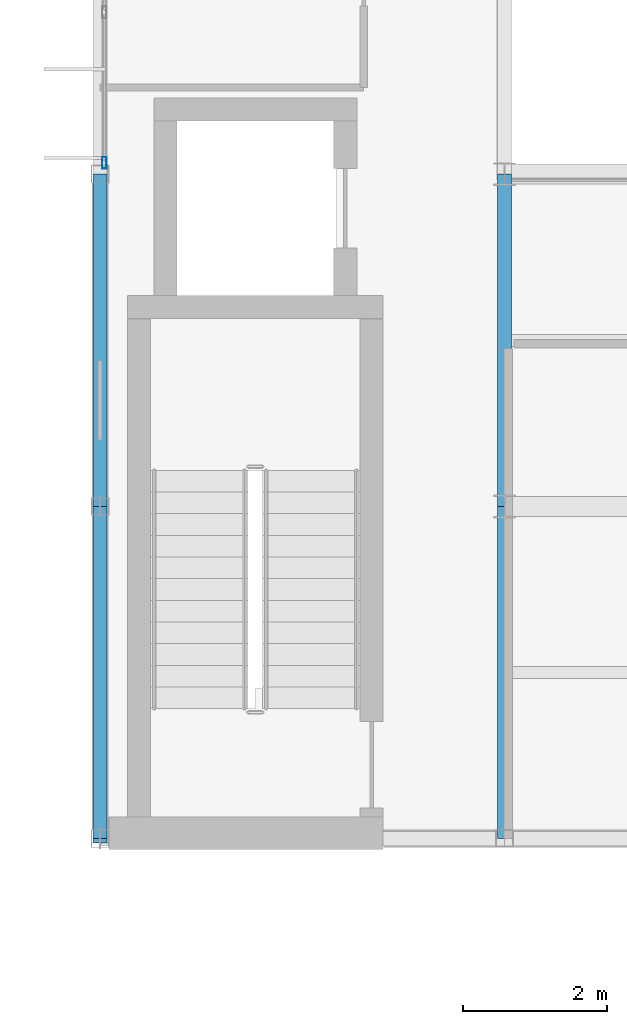
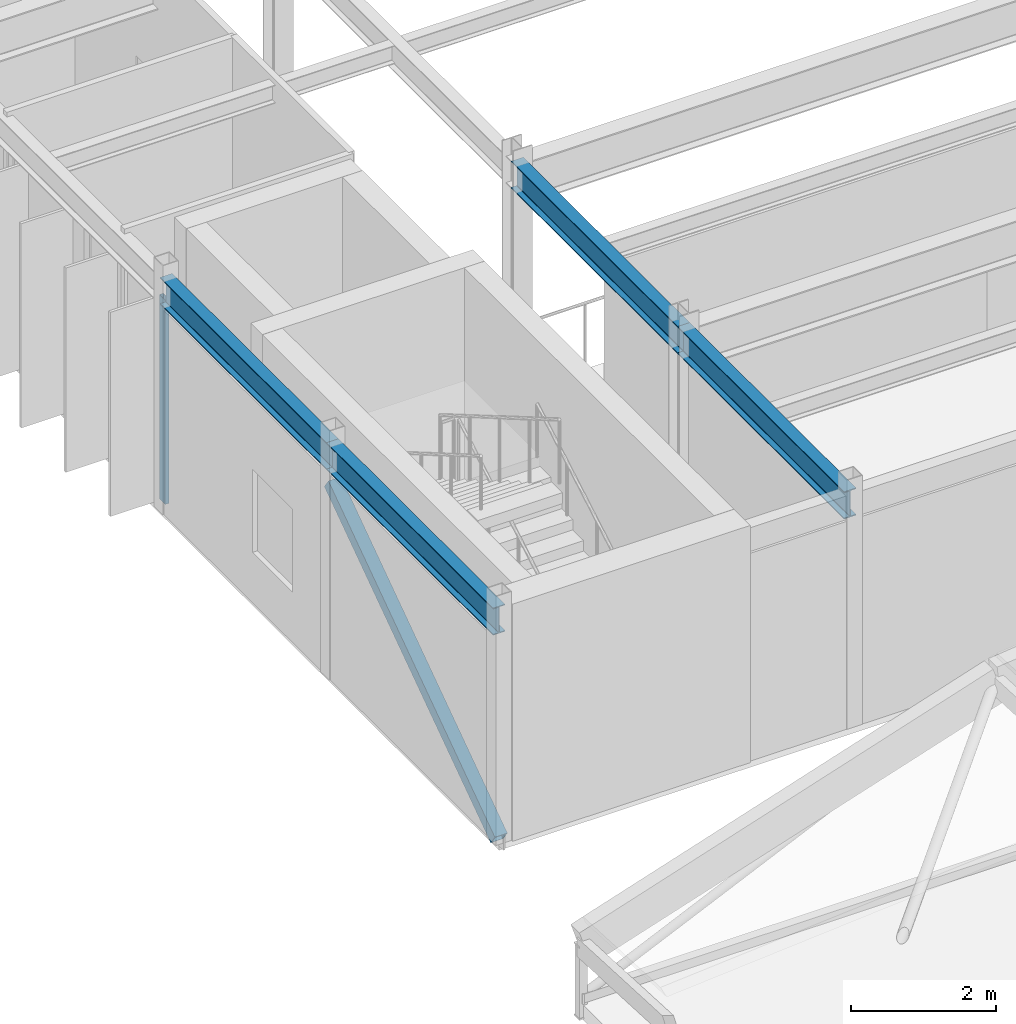
# One storey, part 40 of 157: 4 beams, 2 members, 1 element without a shape of its own.
"""IFC4 building model written with IfcOpenShell, lengths in metres."""

from ifc_helpers import new_model, si_unit, direction, frame, origin, origin_2d, place, context, subcontext, project, spatial, hollow_rectangle, i_section, extrude, material, material_profile, profile_set, type_object, element, aggregate, save


model = new_model("IFC4")

# Units and contexts
model_context = context("Model", 3, precision=1e-05, world=origin(), true_north=direction((0.0, 1.0)))
body_context = subcontext(model_context, "Body", "Model", "MODEL_VIEW")
ifc_project = project(units=[si_unit("LENGTHUNIT", "METRE"), si_unit("AREAUNIT", "SQUARE_METRE"), si_unit("VOLUMEUNIT", "CUBIC_METRE"), si_unit("PLANEANGLEUNIT", "RADIAN"), si_unit("MASSUNIT", "GRAM", prefix="KILO")], contexts=[model_context])

# Site, building, storey
site_placement = place(None, origin())
site = spatial("IfcSite", under=ifc_project, at=site_placement, CompositionType="ELEMENT")
building_placement = place(site_placement, origin())
building = spatial("IfcBuilding", under=site, at=building_placement, Name="Karori Crest Natural Sciences Institute", CompositionType="ELEMENT")
storey_placement = place(building_placement, frame((0.0, 0.0, 13.300048828125)))
storey = spatial("IfcBuildingStorey", under=building, at=storey_placement, Name="L03", CompositionType="ELEMENT", Elevation=13.300048828125)

# Beams
ifc_material_1 = material(Name="Structural steel AS/NZS 3679.1 Grade 350", Category="steel")
ifc_material_profile_1 = material_profile(ifc_material_1, i_section(OverallWidth=0.19091796875, OverallDepth=0.4599609375, WebThickness=0.010009765625, FlangeThickness=0.01611328125, FilletRadius=0.010986328125, at=origin_2d()), Name="460UB82.1")
ifc_profile_set_1 = profile_set([ifc_material_profile_1], Name="Structural steel AS/NZS 3679.1 Grade 350")
beam_type_1 = type_object("IfcBeamType", Name="BT-06", PredefinedType="BEAM", material=ifc_profile_set_1)
beam_1_placement = place(storey_placement, frame((7.39990234375, 31.199951171875, 3.68994140625), z_axis=(0.0, 1.0, 0.0), x_axis=(-1.0, 0.0, 0.0)))
element("IfcBeam", 1, at=beam_1_placement, inside=storey, type_object=beam_type_1, Name="Beam B-1168", PredefinedType="BEAM", context=body_context, shape_type="SweptSolid", body=[
    extrude(i_section(OverallWidth=0.19091796875, OverallDepth=0.4599609375, WebThickness=0.010009765625, FlangeThickness=0.01611328125, FilletRadius=0.010986328125, at=origin_2d()), origin(), (0.0, 0.0, 1.0), 4.60009765625),
])
beam_2_placement = place(storey_placement, frame((7.39990234375, 35.800048828125, 3.68994140625), z_axis=(0.0, 1.0, 0.0), x_axis=(-1.0, 0.0, 0.0)))
element("IfcBeam", 2, at=beam_2_placement, inside=storey, type_object=beam_type_1, Name="Beam B-1169", PredefinedType="BEAM", context=body_context, shape_type="SweptSolid", body=[
    extrude(i_section(OverallWidth=0.19091796875, OverallDepth=0.4599609375, WebThickness=0.010009765625, FlangeThickness=0.01611328125, FilletRadius=0.010986328125, at=origin_2d()), origin(), (0.0, 0.0, 1.0), 4.599853515625),
])
ifc_material_profile_2 = material_profile(ifc_material_1, i_section(OverallWidth=0.19091796875, OverallDepth=0.4599609375, WebThickness=0.010009765625, FlangeThickness=0.01611328125, FilletRadius=0.010986328125, at=origin_2d()), Name="460UB82.1")
ifc_profile_set_2 = profile_set([ifc_material_profile_2], Name="Structural steel AS/NZS 3679.1 Grade 350")
beam_type_2 = type_object("IfcBeamType", Name="BT-06-EL", PredefinedType="BEAM", material=ifc_profile_set_2)
beam_3_placement = place(storey_placement, frame((1.800048828125, 31.199951171875, 3.68994140625), z_axis=(0.0, 1.0, 0.0), x_axis=(-1.0, 0.0, 0.0)))
element("IfcBeam", 3, at=beam_3_placement, inside=storey, type_object=beam_type_2, Name="Beam B-1161", PredefinedType="BEAM", context=body_context, shape_type="SweptSolid", body=[
    extrude(i_section(OverallWidth=0.19091796875, OverallDepth=0.4599609375, WebThickness=0.010009765625, FlangeThickness=0.01611328125, FilletRadius=0.010986328125, at=origin_2d()), origin(), (0.0, 0.0, 1.0), 4.60009765625),
])
beam_4_placement = place(storey_placement, frame((1.800048828125, 35.800048828125, 3.68994140625), z_axis=(0.0, 1.0, 0.0), x_axis=(-1.0, 0.0, 0.0)))
element("IfcBeam", 4, at=beam_4_placement, inside=storey, type_object=beam_type_2, Name="Beam B-1162", PredefinedType="BEAM", context=body_context, shape_type="SweptSolid", body=[
    extrude(i_section(OverallWidth=0.19091796875, OverallDepth=0.4599609375, WebThickness=0.010009765625, FlangeThickness=0.01611328125, FilletRadius=0.010986328125, at=origin_2d()), origin(), (0.0, 0.0, 1.0), 4.599853515625),
])

# Curtain wall, member
ifc_material_2 = material(Name="Anodised architectural aluminium 6063-T6", Category="aluminium")
curtain_wall_type = type_object("IfcCurtainWallType", Name="CWT-17", PredefinedType="NOTDEFINED", material=ifc_material_2)
curtain_wall_placement = place(storey_placement, origin())
curtain_wall = element("IfcCurtainWall", 5, at=curtain_wall_placement, inside=storey, type_object=curtain_wall_type, Name="Curtain wall CW-0278", PredefinedType="NOTDEFINED")
ifc_material_profile_3 = material_profile(ifc_material_2, hollow_rectangle(XDim=0.06494140625, YDim=0.159912109375, WallThickness=0.00390625, at=origin_2d()), Name="CWM160x65x4")
ifc_profile_set_3 = profile_set([ifc_material_profile_3], Name="Anodised architectural aluminium 6063-T6")
member_type_1 = type_object("IfcMemberType", Name="CWM-01", PredefinedType="MULLION", material=ifc_profile_set_3)
member_1_placement = place(storey_placement, frame((1.860107421875, 40.555419921875, 0.0), z_axis=(0.0, 0.0, 1.0), x_axis=(-1.0, 0.0, 0.0)))
member_1 = element("IfcMember", 6, at=member_1_placement, type_object=member_type_1, Name="CW-0278 mullion 1", PredefinedType="MULLION", context=body_context, shape_type="SweptSolid", body=[
    extrude(hollow_rectangle(XDim=0.06494140625, YDim=0.159912109375, WallThickness=0.00390625, at=origin_2d()), origin(), (0.0, 0.0, 1.0), 3.445068359375),
])
aggregate(curtain_wall, [member_1])

# Member
ifc_material_3 = material(Name="Hollow structural steel AS/NZS 1163 Grade C350", Category="steel")
ifc_material_profile_4 = material_profile(ifc_material_3, hollow_rectangle(XDim=0.199951171875, YDim=0.199951171875, WallThickness=0.010009765625, at=origin_2d()), Name="SHS200x200x10")
ifc_profile_set_4 = profile_set([ifc_material_profile_4], Name="Hollow structural steel AS/NZS 1163 Grade C350")
member_type_2 = type_object("IfcMemberType", Name="MT-04", PredefinedType="BRACE", material=ifc_profile_set_4)
member_2_placement = place(storey_placement, frame((1.800048828125, 31.199951171875, 0.010009765625), z_axis=(0.0, 0.819240091074, 0.573450671965), x_axis=(-1.0, 0.0, 0.0)))
element("IfcMember", 7, at=member_2_placement, inside=storey, type_object=member_type_2, Name="Diagonal Brace M-0257", PredefinedType="BRACE", context=body_context, shape_type="SweptSolid", body=[
    extrude(hollow_rectangle(XDim=0.199951171875, YDim=0.199951171875, WallThickness=0.010009765625, at=origin_2d()), origin(), (0.0, 0.0, 1.0), 5.614990234375),
])

save(model, "model.ifc")
